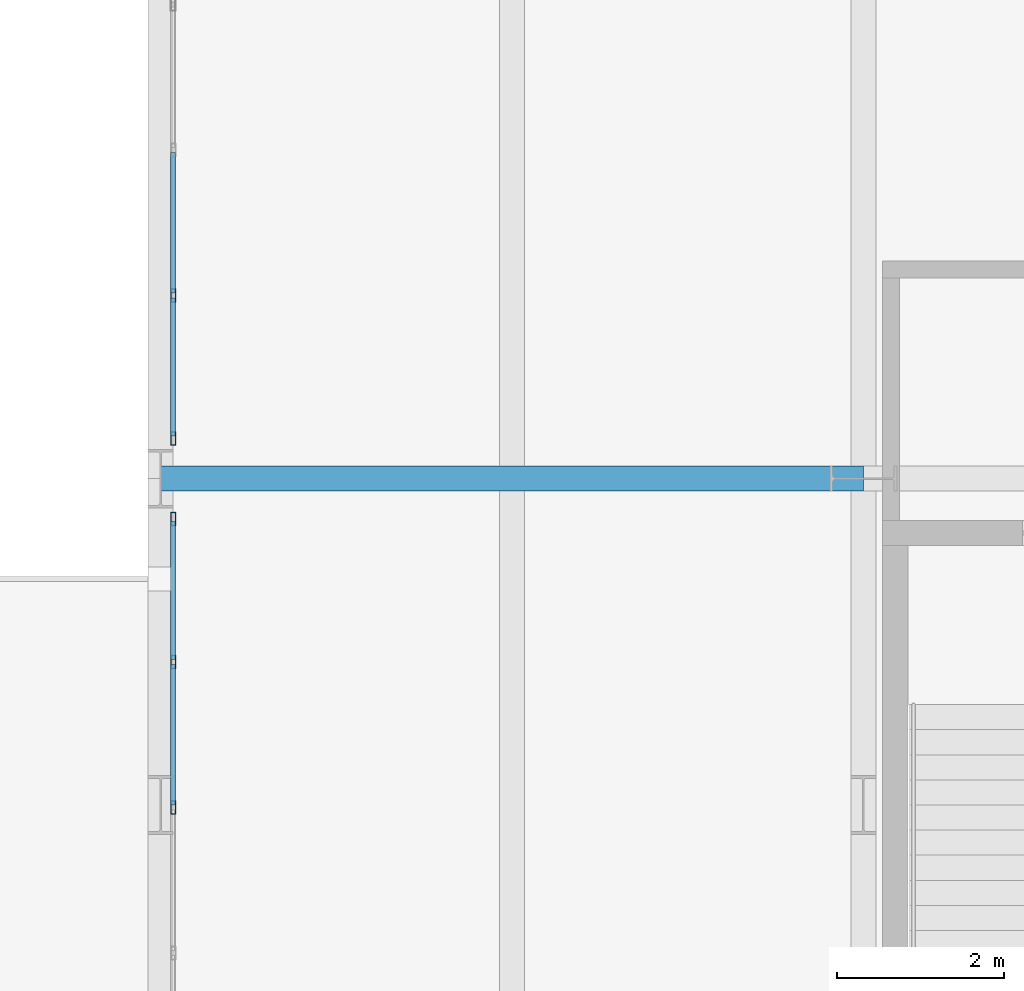
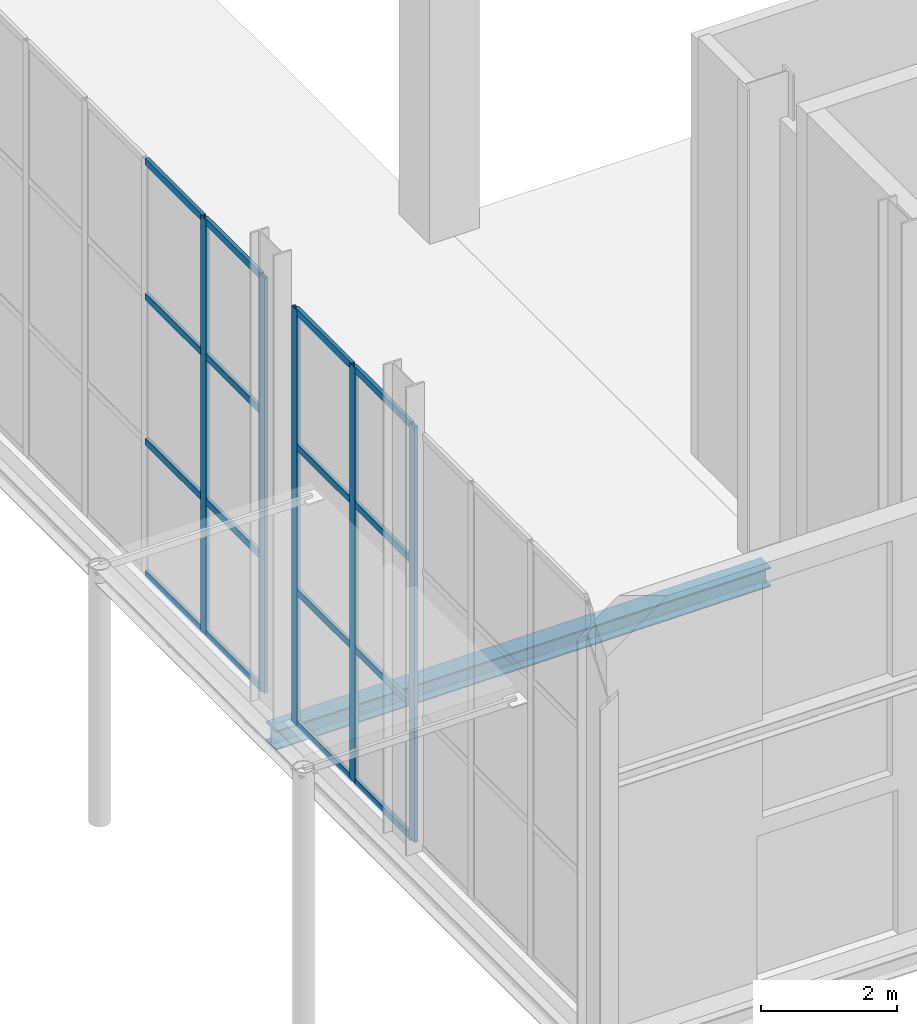
# One storey, part 17 of 131: 21 members, 1 beam, 2 elements without a shape of their own.
"""IFC4 building model written with IfcOpenShell, lengths in metres."""

from ifc_helpers import new_model, si_unit, direction, frame, origin, origin_2d, place, context, subcontext, project, spatial, hollow_rectangle, i_section, extrude, material, material_profile, profile_set, type_object, element, aggregate, save


model = new_model("IFC4")

# Units and contexts
model_context = context("Model", 3, precision=1e-05, world=origin(), true_north=direction((0.0, 1.0)))
body_context = subcontext(model_context, "Body", "Model", "MODEL_VIEW")
ifc_project = project(units=[si_unit("LENGTHUNIT", "METRE"), si_unit("AREAUNIT", "SQUARE_METRE"), si_unit("VOLUMEUNIT", "CUBIC_METRE"), si_unit("PLANEANGLEUNIT", "RADIAN"), si_unit("MASSUNIT", "GRAM", prefix="KILO")], contexts=[model_context])

# Site, building, storey
site_placement = place(None, origin())
site = spatial("IfcSite", under=ifc_project, at=site_placement, CompositionType="ELEMENT")
building_placement = place(site_placement, origin())
building = spatial("IfcBuilding", under=site, at=building_placement, Name="Veltarok Museum of Natural Sciences", CompositionType="ELEMENT")
storey_placement = place(building_placement, origin())
storey = spatial("IfcBuildingStorey", under=building, at=storey_placement, Name="L00", CompositionType="ELEMENT", Elevation=0.0)

# Curtain wall, members
ifc_material_1 = material(Name="Low-iron triple insulated glass", Category="glass")
curtain_wall_type_1 = type_object("IfcCurtainWallType", Name="Curtain Wall System CW-PAS-W-AB-870x745 (West Forecourt Passage A-B 870x745cm)", PredefinedType="NOTDEFINED", material=ifc_material_1)
curtain_wall_1_placement = place(storey_placement, origin())
curtain_wall_1 = element("IfcCurtainWall", 1, at=curtain_wall_1_placement, inside=storey, type_object=curtain_wall_type_1, Name="Curtain Wall CW-PAS-W-AB-870x745 CW-0021", PredefinedType="NOTDEFINED")
ifc_material_2 = material(Name="Thermally broken anodised aluminium", Category="aluminium")
ifc_material_profile_1 = material_profile(ifc_material_2, hollow_rectangle(XDim=0.06005859375, YDim=0.1201171875, WallThickness=0.0048828125, at=origin_2d()), Name="CW TRANSOM 60x120x5")
ifc_profile_set_1 = profile_set([ifc_material_profile_1], Name="Thermally broken anodised aluminium")
member_type_1 = type_object("IfcMemberType", Name="Curtain Wall Horizontal Transom 60x120x5", PredefinedType="USERDEFINED", material=ifc_profile_set_1)
member_1_placement = place(storey_placement, frame((23.35009765625, 5.699951171875, 0.030029296875), z_axis=(0.0, 1.0, 0.0), x_axis=(-1.0, 0.0, 0.0)))
member_1 = element("IfcMember", 2, at=member_1_placement, type_object=member_type_1, Name="CW-PAS-W-AB-870x745 transom 4.1", ObjectType="TRANSOM", PredefinedType="USERDEFINED", context=body_context, shape_type="SweptSolid", body=[
    extrude(hollow_rectangle(XDim=0.06005859375, YDim=0.1201171875, WallThickness=0.0048828125, at=origin_2d()), origin(), (0.0, 0.0, 1.0), 1.679931640625),
])
member_2_placement = place(storey_placement, frame((23.35009765625, 5.699951171875, 2.39990234375), z_axis=(0.0, 1.0, 0.0), x_axis=(-1.0, 0.0, 0.0)))
member_2 = element("IfcMember", 3, at=member_2_placement, type_object=member_type_1, Name="CW-PAS-W-AB-870x745 transom 4.2", ObjectType="TRANSOM", PredefinedType="USERDEFINED", context=body_context, shape_type="SweptSolid", body=[
    extrude(hollow_rectangle(XDim=0.06005859375, YDim=0.1201171875, WallThickness=0.0048828125, at=origin_2d()), origin(), (0.0, 0.0, 1.0), 1.679931640625),
])
member_3_placement = place(storey_placement, frame((23.35009765625, 5.699951171875, 5.0), z_axis=(0.0, 1.0, 0.0), x_axis=(-1.0, 0.0, 0.0)))
member_3 = element("IfcMember", 4, at=member_3_placement, type_object=member_type_1, Name="CW-PAS-W-AB-870x745 transom 4.3", ObjectType="TRANSOM", PredefinedType="USERDEFINED", context=body_context, shape_type="SweptSolid", body=[
    extrude(hollow_rectangle(XDim=0.06005859375, YDim=0.1201171875, WallThickness=0.0048828125, at=origin_2d()), origin(), (0.0, 0.0, 1.0), 1.679931640625),
])
member_4_placement = place(storey_placement, frame((23.35009765625, 5.699951171875, 7.419921875), z_axis=(0.0, 1.0, 0.0), x_axis=(-1.0, 0.0, 0.0)))
member_4 = element("IfcMember", 5, at=member_4_placement, type_object=member_type_1, Name="CW-PAS-W-AB-870x745 transom 4.4", ObjectType="TRANSOM", PredefinedType="USERDEFINED", context=body_context, shape_type="SweptSolid", body=[
    extrude(hollow_rectangle(XDim=0.06005859375, YDim=0.1201171875, WallThickness=0.0048828125, at=origin_2d()), origin(), (0.0, 0.0, 1.0), 1.679931640625),
])
member_5_placement = place(storey_placement, frame((23.35009765625, 7.43994140625, 0.030029296875), z_axis=(0.0, 1.0, 0.0), x_axis=(-1.0, 0.0, 0.0)))
member_5 = element("IfcMember", 6, at=member_5_placement, type_object=member_type_1, Name="CW-PAS-W-AB-870x745 transom 5.1", ObjectType="TRANSOM", PredefinedType="USERDEFINED", context=body_context, shape_type="SweptSolid", body=[
    extrude(hollow_rectangle(XDim=0.06005859375, YDim=0.1201171875, WallThickness=0.0048828125, at=origin_2d()), origin(), (0.0, 0.0, 1.0), 1.650146484375),
])
member_6_placement = place(storey_placement, frame((23.35009765625, 7.43994140625, 2.39990234375), z_axis=(0.0, 1.0, 0.0), x_axis=(-1.0, 0.0, 0.0)))
member_6 = element("IfcMember", 7, at=member_6_placement, type_object=member_type_1, Name="CW-PAS-W-AB-870x745 transom 5.2", ObjectType="TRANSOM", PredefinedType="USERDEFINED", context=body_context, shape_type="SweptSolid", body=[
    extrude(hollow_rectangle(XDim=0.06005859375, YDim=0.1201171875, WallThickness=0.0048828125, at=origin_2d()), origin(), (0.0, 0.0, 1.0), 1.650146484375),
])
member_7_placement = place(storey_placement, frame((23.35009765625, 7.43994140625, 5.0), z_axis=(0.0, 1.0, 0.0), x_axis=(-1.0, 0.0, 0.0)))
member_7 = element("IfcMember", 8, at=member_7_placement, type_object=member_type_1, Name="CW-PAS-W-AB-870x745 transom 5.3", ObjectType="TRANSOM", PredefinedType="USERDEFINED", context=body_context, shape_type="SweptSolid", body=[
    extrude(hollow_rectangle(XDim=0.06005859375, YDim=0.1201171875, WallThickness=0.0048828125, at=origin_2d()), origin(), (0.0, 0.0, 1.0), 1.650146484375),
])
member_8_placement = place(storey_placement, frame((23.35009765625, 7.43994140625, 7.419921875), z_axis=(0.0, 1.0, 0.0), x_axis=(-1.0, 0.0, 0.0)))
member_8 = element("IfcMember", 9, at=member_8_placement, type_object=member_type_1, Name="CW-PAS-W-AB-870x745 transom 5.4", ObjectType="TRANSOM", PredefinedType="USERDEFINED", context=body_context, shape_type="SweptSolid", body=[
    extrude(hollow_rectangle(XDim=0.06005859375, YDim=0.1201171875, WallThickness=0.0048828125, at=origin_2d()), origin(), (0.0, 0.0, 1.0), 1.650146484375),
])

curtain_wall_type_2 = type_object("IfcCurtainWallType", Name="Curtain Wall System CW-PAS-W-BC-870x745 (West Forecourt Passage B-C 870x745cm)", PredefinedType="NOTDEFINED", material=ifc_material_1)
curtain_wall_2_placement = place(storey_placement, origin())
curtain_wall_2 = element("IfcCurtainWall", 10, at=curtain_wall_2_placement, inside=storey, type_object=curtain_wall_type_2, Name="Curtain Wall CW-PAS-W-BC-870x745 CW-0022", PredefinedType="NOTDEFINED")
member_9_placement = place(storey_placement, frame((23.35009765625, 10.110107421875, 0.030029296875), z_axis=(0.0, 1.0, 0.0), x_axis=(-1.0, 0.0, 0.0)))
member_9 = element("IfcMember", 11, at=member_9_placement, type_object=member_type_1, Name="CW-PAS-W-BC-870x745 transom 1.1", ObjectType="TRANSOM", PredefinedType="USERDEFINED", context=body_context, shape_type="SweptSolid", body=[
    extrude(hollow_rectangle(XDim=0.06005859375, YDim=0.1201171875, WallThickness=0.0048828125, at=origin_2d()), origin(), (0.0, 0.0, 1.0), 1.64990234375),
])
member_10_placement = place(storey_placement, frame((23.35009765625, 10.110107421875, 2.39990234375), z_axis=(0.0, 1.0, 0.0), x_axis=(-1.0, 0.0, 0.0)))
member_10 = element("IfcMember", 12, at=member_10_placement, type_object=member_type_1, Name="CW-PAS-W-BC-870x745 transom 1.2", ObjectType="TRANSOM", PredefinedType="USERDEFINED", context=body_context, shape_type="SweptSolid", body=[
    extrude(hollow_rectangle(XDim=0.06005859375, YDim=0.1201171875, WallThickness=0.0048828125, at=origin_2d()), origin(), (0.0, 0.0, 1.0), 1.64990234375),
])
member_11_placement = place(storey_placement, frame((23.35009765625, 10.110107421875, 5.0), z_axis=(0.0, 1.0, 0.0), x_axis=(-1.0, 0.0, 0.0)))
member_11 = element("IfcMember", 13, at=member_11_placement, type_object=member_type_1, Name="CW-PAS-W-BC-870x745 transom 1.3", ObjectType="TRANSOM", PredefinedType="USERDEFINED", context=body_context, shape_type="SweptSolid", body=[
    extrude(hollow_rectangle(XDim=0.06005859375, YDim=0.1201171875, WallThickness=0.0048828125, at=origin_2d()), origin(), (0.0, 0.0, 1.0), 1.64990234375),
])
member_12_placement = place(storey_placement, frame((23.35009765625, 10.110107421875, 7.419921875), z_axis=(0.0, 1.0, 0.0), x_axis=(-1.0, 0.0, 0.0)))
member_12 = element("IfcMember", 14, at=member_12_placement, type_object=member_type_1, Name="CW-PAS-W-BC-870x745 transom 1.4", ObjectType="TRANSOM", PredefinedType="USERDEFINED", context=body_context, shape_type="SweptSolid", body=[
    extrude(hollow_rectangle(XDim=0.06005859375, YDim=0.1201171875, WallThickness=0.0048828125, at=origin_2d()), origin(), (0.0, 0.0, 1.0), 1.64990234375),
])
member_13_placement = place(storey_placement, frame((23.35009765625, 11.820068359375, 0.030029296875), z_axis=(0.0, 1.0, 0.0), x_axis=(-1.0, 0.0, 0.0)))
member_13 = element("IfcMember", 15, at=member_13_placement, type_object=member_type_1, Name="CW-PAS-W-BC-870x745 transom 2.1", ObjectType="TRANSOM", PredefinedType="USERDEFINED", context=body_context, shape_type="SweptSolid", body=[
    extrude(hollow_rectangle(XDim=0.06005859375, YDim=0.1201171875, WallThickness=0.0048828125, at=origin_2d()), origin(), (0.0, 0.0, 1.0), 1.679931640625),
])
member_14_placement = place(storey_placement, frame((23.35009765625, 11.820068359375, 2.39990234375), z_axis=(0.0, 1.0, 0.0), x_axis=(-1.0, 0.0, 0.0)))
member_14 = element("IfcMember", 16, at=member_14_placement, type_object=member_type_1, Name="CW-PAS-W-BC-870x745 transom 2.2", ObjectType="TRANSOM", PredefinedType="USERDEFINED", context=body_context, shape_type="SweptSolid", body=[
    extrude(hollow_rectangle(XDim=0.06005859375, YDim=0.1201171875, WallThickness=0.0048828125, at=origin_2d()), origin(), (0.0, 0.0, 1.0), 1.679931640625),
])
member_15_placement = place(storey_placement, frame((23.35009765625, 11.820068359375, 5.0), z_axis=(0.0, 1.0, 0.0), x_axis=(-1.0, 0.0, 0.0)))
member_15 = element("IfcMember", 17, at=member_15_placement, type_object=member_type_1, Name="CW-PAS-W-BC-870x745 transom 2.3", ObjectType="TRANSOM", PredefinedType="USERDEFINED", context=body_context, shape_type="SweptSolid", body=[
    extrude(hollow_rectangle(XDim=0.06005859375, YDim=0.1201171875, WallThickness=0.0048828125, at=origin_2d()), origin(), (0.0, 0.0, 1.0), 1.679931640625),
])
member_16_placement = place(storey_placement, frame((23.35009765625, 11.820068359375, 7.419921875), z_axis=(0.0, 1.0, 0.0), x_axis=(-1.0, 0.0, 0.0)))
member_16 = element("IfcMember", 18, at=member_16_placement, type_object=member_type_1, Name="CW-PAS-W-BC-870x745 transom 2.4", ObjectType="TRANSOM", PredefinedType="USERDEFINED", context=body_context, shape_type="SweptSolid", body=[
    extrude(hollow_rectangle(XDim=0.06005859375, YDim=0.1201171875, WallThickness=0.0048828125, at=origin_2d()), origin(), (0.0, 0.0, 1.0), 1.679931640625),
])

# Member
ifc_material_profile_2 = material_profile(ifc_material_2, hollow_rectangle(XDim=0.06005859375, YDim=0.159912109375, WallThickness=0.0048828125, at=origin_2d()), Name="CW MULLION 60x160x5")
ifc_profile_set_2 = profile_set([ifc_material_profile_2], Name="Thermally broken anodised aluminium")
member_type_2 = type_object("IfcMemberType", Name="Curtain Wall Vertical Mullion 60x160x5", PredefinedType="MULLION", material=ifc_profile_set_2)
member_17_placement = place(storey_placement, frame((23.35009765625, 5.669921875, 0.0), z_axis=(0.0, 0.0, 1.0), x_axis=(-1.0, 0.0, 0.0)))
member_17 = element("IfcMember", 19, at=member_17_placement, type_object=member_type_2, Name="CW-PAS-W-AB-870x745 mullion 4", PredefinedType="MULLION", context=body_context, shape_type="SweptSolid", body=[
    extrude(hollow_rectangle(XDim=0.06005859375, YDim=0.159912109375, WallThickness=0.0048828125, at=origin_2d()), origin(), (0.0, 0.0, 1.0), 7.449951171875),
])

member_18_placement = place(storey_placement, frame((23.35009765625, 7.409912109375, 0.0), z_axis=(0.0, 0.0, 1.0), x_axis=(-1.0, 0.0, 0.0)))
member_18 = element("IfcMember", 20, at=member_18_placement, type_object=member_type_2, Name="CW-PAS-W-AB-870x745 mullion 5", PredefinedType="MULLION", context=body_context, shape_type="SweptSolid", body=[
    extrude(hollow_rectangle(XDim=0.06005859375, YDim=0.159912109375, WallThickness=0.0048828125, at=origin_2d()), origin(), (0.0, 0.0, 1.0), 7.449951171875),
])

member_19_placement = place(storey_placement, frame((23.35009765625, 9.1201171875, 0.0), z_axis=(0.0, 0.0, 1.0), x_axis=(-1.0, 0.0, 0.0)))
member_19 = element("IfcMember", 21, at=member_19_placement, type_object=member_type_2, Name="CW-PAS-W-AB-870x745 mullion 6", PredefinedType="MULLION", context=body_context, shape_type="SweptSolid", body=[
    extrude(hollow_rectangle(XDim=0.06005859375, YDim=0.159912109375, WallThickness=0.0048828125, at=origin_2d()), origin(), (0.0, 0.0, 1.0), 7.449951171875),
])

aggregate(curtain_wall_1, [member_17, member_18, member_19, member_1, member_2, member_3, member_4, member_5, member_6, member_7, member_8])

member_20_placement = place(storey_placement, frame((23.35009765625, 10.080078125, 0.0), z_axis=(0.0, 0.0, 1.0), x_axis=(-1.0, 0.0, 0.0)))
member_20 = element("IfcMember", 22, at=member_20_placement, type_object=member_type_2, Name="CW-PAS-W-BC-870x745 mullion 1", PredefinedType="MULLION", context=body_context, shape_type="SweptSolid", body=[
    extrude(hollow_rectangle(XDim=0.06005859375, YDim=0.159912109375, WallThickness=0.0048828125, at=origin_2d()), origin(), (0.0, 0.0, 1.0), 7.449951171875),
])

member_21_placement = place(storey_placement, frame((23.35009765625, 11.7900390625, 0.0), z_axis=(0.0, 0.0, 1.0), x_axis=(-1.0, 0.0, 0.0)))
member_21 = element("IfcMember", 23, at=member_21_placement, type_object=member_type_2, Name="CW-PAS-W-BC-870x745 mullion 2", PredefinedType="MULLION", context=body_context, shape_type="SweptSolid", body=[
    extrude(hollow_rectangle(XDim=0.06005859375, YDim=0.159912109375, WallThickness=0.0048828125, at=origin_2d()), origin(), (0.0, 0.0, 1.0), 7.449951171875),
])

aggregate(curtain_wall_2, [member_20, member_21, member_9, member_10, member_11, member_12, member_13, member_14, member_15, member_16])

# Beam
ifc_material_3 = material(Name="Steel S355J2", Category="steel")
ifc_material_profile_3 = material_profile(ifc_material_3, i_section(OverallWidth=0.300048828125, OverallDepth=0.340087890625, WebThickness=0.011962890625, FlangeThickness=0.021484375, FilletRadius=0.027099609375, at=origin_2d()), Name="HEB 340")
ifc_profile_set_3 = profile_set([ifc_material_profile_3], Name="Steel S355J2")
beam_type = type_object("IfcBeamType", Name="Perimeter Bridge Spandrel HEB 340", PredefinedType="SPANDREL", material=ifc_profile_set_3)
beam_placement = place(storey_placement, frame((23.199951171875, 9.60009765625, -0.469970703125), z_axis=(1.0, 0.0, 0.0), x_axis=(0.0, 1.0, 0.0)))
element("IfcBeam", 24, at=beam_placement, inside=storey, type_object=beam_type, Name="Beam BM-SP07 L00 3-4/B", PredefinedType="SPANDREL", context=body_context, shape_type="SweptSolid", body=[
    extrude(i_section(OverallWidth=0.300048828125, OverallDepth=0.340087890625, WebThickness=0.011962890625, FlangeThickness=0.021484375, FilletRadius=0.027099609375, at=origin_2d()), origin(), (0.0, 0.0, 1.0), 8.400146484375),
])

save(model, "model.ifc")
